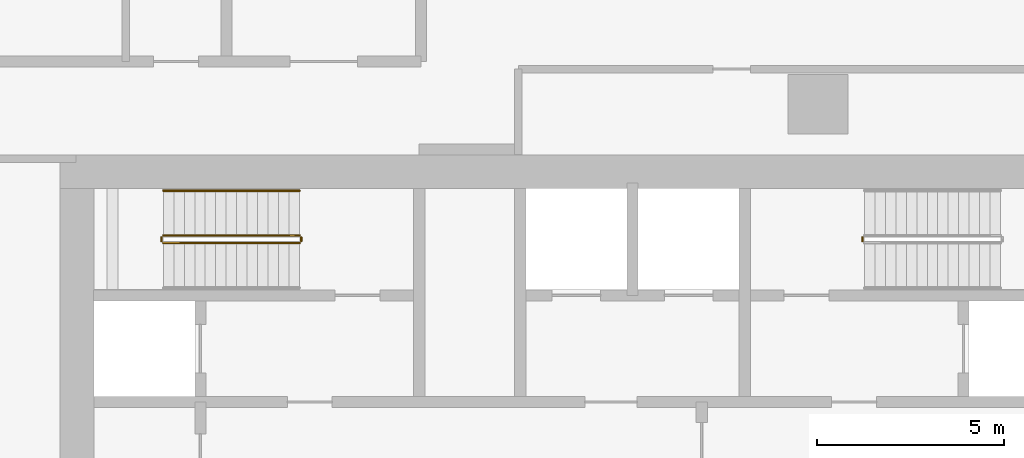
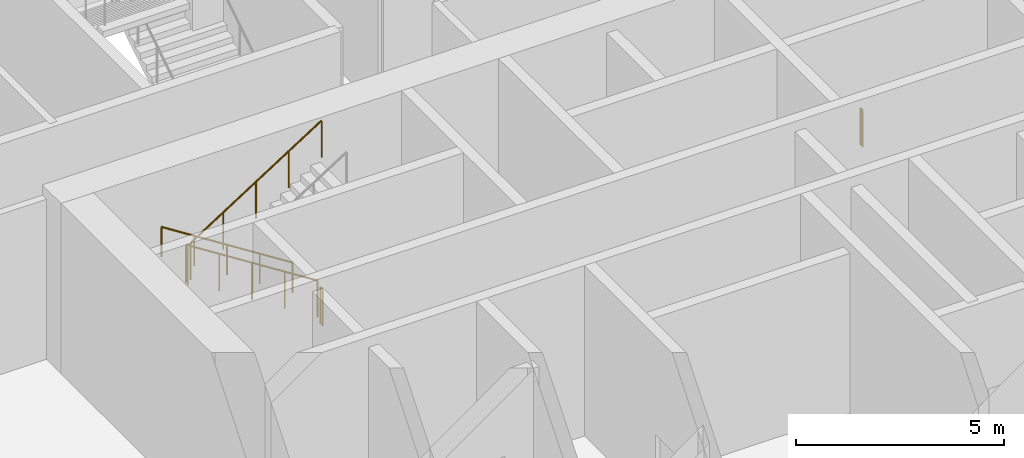
# One storey, part 24 of 35: 6 railings.
"""IFC4 building model written with IfcOpenShell, lengths in metres."""

from ifc_helpers import new_model, si_unit, direction, frame, origin, origin_2d, place, context, subcontext, project, spatial, circle, extrude, material, type_object, element, save


model = new_model("IFC4")

# Units and contexts
model_context = context("Model", 3, precision=1e-05, world=origin(), true_north=direction((0.0, 1.0)))
body_context = subcontext(model_context, "Body", "Model", "MODEL_VIEW")
ifc_project = project(units=[si_unit("LENGTHUNIT", "METRE"), si_unit("AREAUNIT", "SQUARE_METRE"), si_unit("VOLUMEUNIT", "CUBIC_METRE"), si_unit("PLANEANGLEUNIT", "RADIAN"), si_unit("MASSUNIT", "GRAM", prefix="KILO")], contexts=[model_context])

# Site, building, storey
site_placement = place(None, origin())
site = spatial("IfcSite", under=ifc_project, at=site_placement, CompositionType="ELEMENT")
building_placement = place(site_placement, origin())
building = spatial("IfcBuilding", under=site, at=building_placement, Name="Ogive Portal Towers", CompositionType="ELEMENT")
storey_placement = place(building_placement, frame((0.0, 0.0, 18.5)))
storey = spatial("IfcBuildingStorey", under=building, at=storey_placement, Name="L03", CompositionType="ELEMENT", Elevation=18.5)

# Railings
ifc_material_1 = material(Name="Stainless steel balustrade", Category="steel")
railing_type_1 = type_object("IfcRailingType", Name="INT-GUARD", PredefinedType="GUARDRAIL", material=ifc_material_1)
railing_1_placement = place(storey_placement, frame((37.449951171875, 37.800048828125, 0.178466796875)))
element("IfcRailing", 1, at=railing_1_placement, inside=storey, type_object=railing_type_1, Name="L03 ST-A1 stair guard 1", PredefinedType="GUARDRAIL", context=body_context, shape_type="SweptSolid", body=[
    extrude(circle(Radius=0.02392578125, at=origin_2d()), frame((0.0, 0.0, 1.076171875), z_axis=(-0.843111507901, 0.0, 0.53773877045), x_axis=(0.0, -1.0, 0.0)), (0.0, 0.0, 1.0), 4.317138671875),
    extrude(circle(Radius=0.02099609375, at=origin_2d()), origin(), (0.0, 0.0, 1.0), 1.052001953125),
    extrude(circle(Radius=0.02099609375, at=origin_2d()), frame((-0.909912109375, 0.0, 0.580322265625)), (0.0, 0.0, 1.0), 1.052001953125),
    extrude(circle(Radius=0.02099609375, at=origin_2d()), frame((-1.81982421875, 0.0, 1.16064453125)), (0.0, 0.0, 1.0), 1.052001953125),
    extrude(circle(Radius=0.02099609375, at=origin_2d()), frame((-2.72998046875, 0.0, 1.7412109375)), (0.0, 0.0, 1.0), 1.052001953125),
    extrude(circle(Radius=0.02099609375, at=origin_2d()), frame((-3.639892578125, 0.0, 2.321533203125)), (0.0, 0.0, 1.0), 1.052001953125),
])
railing_2_placement = place(storey_placement, frame((33.760009765625, 37.75, 2.5)))
element("IfcRailing", 2, at=railing_2_placement, inside=storey, type_object=railing_type_1, Name="L03 ST-A1 stair guard 2", PredefinedType="GUARDRAIL", context=body_context, shape_type="SweptSolid", body=[
    extrude(circle(Radius=0.02392578125, at=origin_2d()), frame((0.0, 0.0, 1.076171875), z_axis=(0.0, -1.0, 0.0), x_axis=(1.0, 0.0, 0.0)), (0.0, 0.0, 1.0), 0.10009765625),
    extrude(circle(Radius=0.02099609375, at=origin_2d()), origin(), (0.0, 0.0, 1.0), 1.052001953125),
    extrude(circle(Radius=0.02099609375, at=origin_2d()), frame((0.0, -0.10009765625, 0.0)), (0.0, 0.0, 1.0), 1.052001953125),
])
railing_3_placement = place(storey_placement, frame((33.81005859375, 37.60009765625, 2.678466796875)))
element("IfcRailing", 3, at=railing_3_placement, inside=storey, type_object=railing_type_1, Name="L03 ST-A1 stair guard 3", PredefinedType="GUARDRAIL", context=body_context, shape_type="SweptSolid", body=[
    extrude(circle(Radius=0.02392578125, at=origin_2d()), frame((0.0, 0.0, 1.076171875), z_axis=(0.843111507901, 0.0, 0.53773877045), x_axis=(0.0, 1.0, 0.0)), (0.0, 0.0, 1.0), 4.317138671875),
    extrude(circle(Radius=0.02099609375, at=origin_2d()), origin(), (0.0, 0.0, 1.0), 1.052001953125),
    extrude(circle(Radius=0.02099609375, at=origin_2d()), frame((0.909912109375, 0.0, 0.580322265625)), (0.0, 0.0, 1.0), 1.052001953125),
    extrude(circle(Radius=0.02099609375, at=origin_2d()), frame((1.81982421875, 0.0, 1.16064453125)), (0.0, 0.0, 1.0), 1.052001953125),
    extrude(circle(Radius=0.02099609375, at=origin_2d()), frame((2.72998046875, 0.0, 1.7412109375)), (0.0, 0.0, 1.0), 1.052001953125),
    extrude(circle(Radius=0.02099609375, at=origin_2d()), frame((3.639892578125, 0.0, 2.321533203125)), (0.0, 0.0, 1.0), 1.052001953125),
])
railing_4_placement = place(storey_placement, frame((37.5, 37.75, 0.0)))
element("IfcRailing", 4, at=railing_4_placement, inside=storey, type_object=railing_type_1, Name="L03 ST-A1 stair guard 4", PredefinedType="GUARDRAIL", context=body_context, shape_type="SweptSolid", body=[
    extrude(circle(Radius=0.02392578125, at=origin_2d()), frame((0.0, 0.0, 1.076171875), z_axis=(0.0, -1.0, 0.0), x_axis=(1.0, 0.0, 0.0)), (0.0, 0.0, 1.0), 0.10009765625),
    extrude(circle(Radius=0.02099609375, at=origin_2d()), origin(), (0.0, 0.0, 1.0), 1.052001953125),
    extrude(circle(Radius=0.02099609375, at=origin_2d()), frame((0.0, -0.10009765625, 0.0)), (0.0, 0.0, 1.0), 1.052001953125),
])
railing_5_placement = place(storey_placement, frame((52.5, 37.64990234375, 0.0)))
element("IfcRailing", 5, at=railing_5_placement, inside=storey, type_object=railing_type_1, Name="L03 ST-A2 stair guard 4", PredefinedType="GUARDRAIL", context=body_context, shape_type="SweptSolid", body=[
    extrude(circle(Radius=0.02392578125, at=origin_2d()), frame((0.0, 0.0, 1.076171875), z_axis=(0.0, 1.0, 0.0), x_axis=(-1.0, 0.0, 0.0)), (0.0, 0.0, 1.0), 0.10009765625),
    extrude(circle(Radius=0.02099609375, at=origin_2d()), origin(), (0.0, 0.0, 1.0), 1.052001953125),
    extrude(circle(Radius=0.02099609375, at=origin_2d()), frame((0.0, 0.10009765625, 0.0)), (0.0, 0.0, 1.0), 1.052001953125),
])
ifc_material_2 = material(Name="Stainless steel handrail", Category="steel")
railing_type_2 = type_object("IfcRailingType", Name="INT-HANDRAIL", PredefinedType="HANDRAIL", material=ifc_material_2)
railing_6_placement = place(storey_placement, frame((37.449951171875, 39.0, 0.178466796875)))
element("IfcRailing", 6, at=railing_6_placement, inside=storey, type_object=railing_type_2, Name="L03 ST-A1 stair handrail 1", PredefinedType="HANDRAIL", context=body_context, shape_type="SweptSolid", body=[
    extrude(circle(Radius=0.02392578125, at=origin_2d()), frame((0.0, 0.0, 0.8759765625), z_axis=(-0.843111507901, 0.0, 0.53773877045), x_axis=(0.0, -1.0, 0.0)), (0.0, 0.0, 1.0), 4.317138671875),
    extrude(circle(Radius=0.02099609375, at=origin_2d()), origin(), (0.0, 0.0, 1.0), 0.851806640625),
    extrude(circle(Radius=0.02099609375, at=origin_2d()), frame((-0.909912109375, 0.0, 0.580322265625)), (0.0, 0.0, 1.0), 0.851806640625),
    extrude(circle(Radius=0.02099609375, at=origin_2d()), frame((-1.81982421875, 0.0, 1.16064453125)), (0.0, 0.0, 1.0), 0.851806640625),
    extrude(circle(Radius=0.02099609375, at=origin_2d()), frame((-2.72998046875, 0.0, 1.7412109375)), (0.0, 0.0, 1.0), 0.851806640625),
    extrude(circle(Radius=0.02099609375, at=origin_2d()), frame((-3.639892578125, 0.0, 2.321533203125)), (0.0, 0.0, 1.0), 0.851806640625),
])

save(model, "model.ifc")
